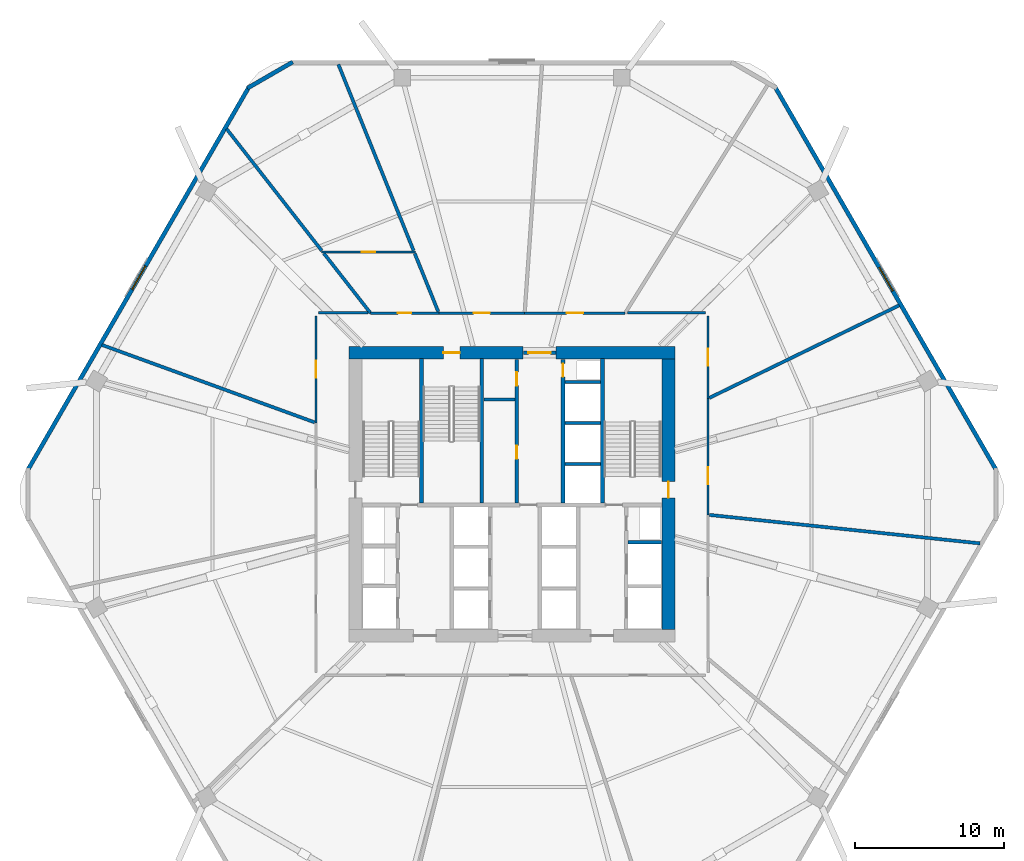
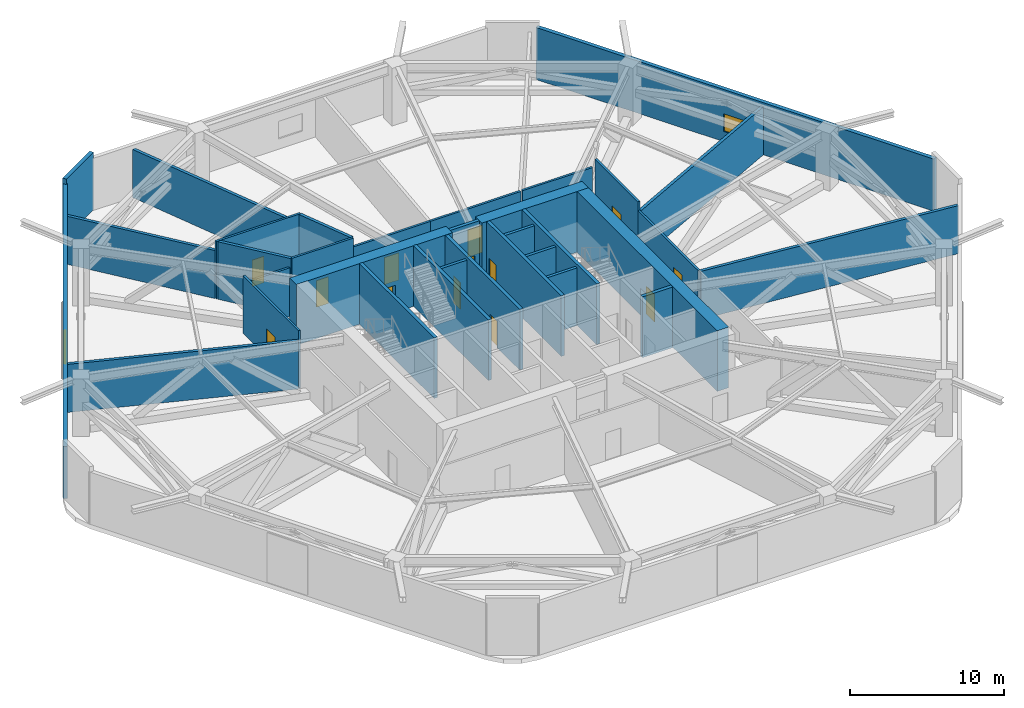
# One storey, part 5 of 10: 33 walls, 13 doors, 2 windows, 15 openings.
"""IFC4 building model written with IfcOpenShell, lengths in metres."""

from ifc_helpers import new_model, si_unit, direction, frame, frame_2d, origin, place, context, subcontext, project, spatial, rectangle, extrude, material, layer, layer_set, type_object, element, fill, save


model = new_model("IFC4")

# Units and contexts
model_context = context("Model", 3, precision=1e-05, world=origin(), true_north=direction((0.0, 1.0)))
body_context = subcontext(model_context, "Body", "Model", "MODEL_VIEW")
ifc_project = project(units=[si_unit("LENGTHUNIT", "METRE"), si_unit("AREAUNIT", "SQUARE_METRE"), si_unit("VOLUMEUNIT", "CUBIC_METRE"), si_unit("PLANEANGLEUNIT", "RADIAN"), si_unit("MASSUNIT", "GRAM", prefix="KILO")], contexts=[model_context])

# Site, building, storey
site_placement = place(None, origin())
site = spatial("IfcSite", under=ifc_project, at=site_placement, CompositionType="ELEMENT")
building_placement = place(site_placement, origin())
building = spatial("IfcBuilding", under=site, at=building_placement, Name="Zuhravey Tower", CompositionType="ELEMENT")
storey_placement = place(building_placement, frame((0.0, 0.0, 87.60009765625)))
storey = spatial("IfcBuildingStorey", under=building, at=storey_placement, Name="L21", CompositionType="ELEMENT", Elevation=87.60009765625)

# Wall
ifc_material_1 = material(Name="Concrete C60/75", Category="concrete")
ifc_layer_1 = layer(ifc_material_1, 0.85009765625)
ifc_layer_set_1 = layer_set([ifc_layer_1], Name="Concrete C60/75")
wall_type_1 = type_object("IfcWallType", Name="Core Shear Wall 850", PredefinedType="SHEAR", material=ifc_layer_set_1)
wall_1_placement = place(storey_placement, frame((46.925048828125, 41.5, 0.0), z_axis=(0.0, 0.0, 1.0), x_axis=(-1.0, 0.0, 0.0)))
element("IfcWall", 1, at=wall_1_placement, inside=storey, type_object=wall_type_1, Name="L21 North-East Core Shear Wall CW85", PredefinedType="SHEAR", context=body_context, shape_type="SweptSolid", body=[
    extrude(rectangle(XDim=7.97509765625, YDim=0.85009765625, at=frame_2d((3.987548828125, 0.0))), origin(), (0.0, 0.0, 1.0), 4.7998046875),
])

# Wall, opening, door
wall_2_placement = place(storey_placement, frame((36.75, 41.5, 0.0), z_axis=(0.0, 0.0, 1.0), x_axis=(-1.0, 0.0, 0.0)))
wall_2 = element("IfcWall", 2, at=wall_2_placement, inside=storey, type_object=wall_type_1, Name="L21 North-West Core Shear Wall CW85", PredefinedType="SHEAR", context=body_context, shape_type="SweptSolid", body=[
    extrude(rectangle(XDim=11.675048828125, YDim=0.85009765625, at=frame_2d((5.83740234375, 0.0))), origin(), (0.0, 0.0, 1.0), 4.7998046875),
])
opening_1_placement = place(wall_2_placement, frame((4.25, 0.0, 0.0)))
opening_1 = element("IfcOpeningElement", 3, at=opening_1_placement, cuts=wall_2, Name="Opening STD1", PredefinedType="OPENING", context=body_context, shape_type="SweptSolid", body=[
    extrude(rectangle(XDim=1.10009765625, YDim=2.14990234375, at=frame_2d((0.550048828125, 1.074951171875))), frame((0.0, 0.43701171875, 0.0), z_axis=(0.0, -1.0, 0.0), x_axis=(1.0, 0.0, 0.0)), (0.0, 0.0, 1.0), 0.8740234375),
])
ifc_material_2 = material(Name="Galvanised fire-rated steel leaf", Category="steel")
door_type_1 = type_object("IfcDoorType", Name="Protected Stair Fire Door 1100x2150", OperationType="NOTDEFINED", PredefinedType="USERDEFINED", material=ifc_material_2)
door_1_placement = place(opening_1_placement, origin())
door_1 = element("IfcDoor", 4, at=door_1_placement, inside=storey, type_object=door_type_1, Name="L21 Stair ST3 Door", ObjectType="EXITDOOR", OperationType="SINGLE_SWING_LEFT", OverallHeight=2.14990234375, OverallWidth=1.10009765625, PredefinedType="USERDEFINED", context=body_context, shape_type="SweptSolid", body=[
    extrude(rectangle(XDim=1.10009765625, YDim=2.14990234375, at=frame_2d((0.550048828125, 1.074951171875))), frame((0.0, 0.02490234375, 0.0), z_axis=(0.0, -1.0, 0.0), x_axis=(1.0, 0.0, 0.0)), (0.0, 0.0, 1.0), 0.050048828125),
])
fill(opening_1, door_1)

wall_3_placement = place(storey_placement, frame((46.5, 22.925048828125, 0.0), z_axis=(0.0, 0.0, 1.0), x_axis=(0.0, 1.0, 0.0)))
wall_3 = element("IfcWall", 5, at=wall_3_placement, inside=storey, type_object=wall_type_1, Name="L21 East Core Shear Wall CW85", PredefinedType="SHEAR", context=body_context, shape_type="SweptSolid", body=[
    extrude(rectangle(XDim=18.14990234375, YDim=0.85009765625, at=frame_2d((9.074951171875, 0.0))), origin(), (0.0, 0.0, 1.0), 4.7998046875),
])
opening_2_placement = place(wall_3_placement, frame((8.824951171875, 0.0, 0.0)))
opening_2 = element("IfcOpeningElement", 6, at=opening_2_placement, cuts=wall_3, Name="Opening STD1", PredefinedType="OPENING", context=body_context, shape_type="SweptSolid", body=[
    extrude(rectangle(XDim=1.10009765625, YDim=2.14990234375, at=frame_2d((0.550048828125, 1.074951171875))), frame((0.0, 0.43701171875, 0.0), z_axis=(0.0, -1.0, 0.0), x_axis=(1.0, 0.0, 0.0)), (0.0, 0.0, 1.0), 0.8740234375),
])
door_2_placement = place(opening_2_placement, origin())
door_2 = element("IfcDoor", 7, at=door_2_placement, inside=storey, type_object=door_type_1, Name="L21 Stair ST2 Door", ObjectType="EXITDOOR", OperationType="SINGLE_SWING_RIGHT", OverallHeight=2.14990234375, OverallWidth=1.10009765625, PredefinedType="USERDEFINED", context=body_context, shape_type="SweptSolid", body=[
    extrude(rectangle(XDim=1.10009765625, YDim=2.14990234375, at=frame_2d((0.550048828125, 1.074951171875))), frame((0.0, 0.02490234375, 0.0), z_axis=(0.0, -1.0, 0.0), x_axis=(1.0, 0.0, 0.0)), (0.0, 0.0, 1.0), 0.050048828125),
])
fill(opening_2, door_2)

ifc_material_3 = material(Name="Gypsum fire-rated stud partition")
ifc_layer_2 = layer(ifc_material_3, 0.159912109375)
ifc_layer_set_2 = layer_set([ifc_layer_2], Name="Gypsum fire-rated stud partition")
wall_type_2 = type_object("IfcWallType", Name="Corridor Fire Partition 160", PredefinedType="PARTITIONING", material=ifc_layer_set_2)
wall_4_placement = place(storey_placement, frame((43.59521484375, 44.155029296875, 0.0), z_axis=(0.0, 0.0, 1.0), x_axis=(-1.0, 0.0, 0.0)))
wall_4 = element("IfcWall", 8, at=wall_4_placement, inside=storey, type_object=wall_type_2, Name="L21 IW16 Partition 019", PredefinedType="PARTITIONING", context=body_context, shape_type="SweptSolid", body=[
    extrude(rectangle(XDim=6.7451171875, YDim=0.159912109375, at=frame_2d((3.37255859375, 0.0))), origin(), (0.0, 0.0, 1.0), 3.849853515625),
])
opening_3_placement = place(wall_4_placement, frame((2.82275390625, 0.0, 0.0)))
opening_3 = element("IfcOpeningElement", 9, at=opening_3_placement, cuts=wall_4, Name="Opening STD1", PredefinedType="OPENING", context=body_context, shape_type="SweptSolid", body=[
    extrude(rectangle(XDim=1.10009765625, YDim=2.14990234375, at=frame_2d((0.550048828125, 1.074951171875))), frame((0.0, 0.092041015625, 0.0), z_axis=(0.0, -1.0, 0.0), x_axis=(1.0, 0.0, 0.0)), (0.0, 0.0, 1.0), 0.183837890625),
])
door_3_placement = place(opening_3_placement, frame((1.10009765625, 0.0, 0.0), z_axis=(0.0, 0.0, 1.0), x_axis=(-1.0, 0.0, 0.0)))
door_3 = element("IfcDoor", 10, at=door_3_placement, inside=storey, type_object=door_type_1, Name="L21 Door 019.1", ObjectType="EXITDOOR", OperationType="SINGLE_SWING_LEFT", OverallHeight=2.14990234375, OverallWidth=1.10009765625, PredefinedType="USERDEFINED", context=body_context, shape_type="SweptSolid", body=[
    extrude(rectangle(XDim=1.10009765625, YDim=2.14990234375, at=frame_2d((0.550048828125, 1.074951171875))), frame((0.0, 0.02490234375, 0.0), z_axis=(0.0, -1.0, 0.0), x_axis=(1.0, 0.0, 0.0)), (0.0, 0.0, 1.0), 0.050048828125),
])
fill(opening_3, door_3)

wall_5_placement = place(storey_placement, frame((36.85009765625, 44.155029296875, 0.0), z_axis=(0.0, 0.0, 1.0), x_axis=(-1.0, 0.0, 0.0)))
wall_5 = element("IfcWall", 11, at=wall_5_placement, inside=storey, type_object=wall_type_2, Name="L21 IW16 Partition 020", PredefinedType="PARTITIONING", context=body_context, shape_type="SweptSolid", body=[
    extrude(rectangle(XDim=5.760986328125, YDim=0.159912109375, at=frame_2d((2.88037109375, 0.0))), origin(), (0.0, 0.0, 1.0), 3.849853515625),
])
opening_4_placement = place(wall_5_placement, frame((2.33056640625, 0.0, 0.0)))
opening_4 = element("IfcOpeningElement", 12, at=opening_4_placement, cuts=wall_5, Name="Opening STD1", PredefinedType="OPENING", context=body_context, shape_type="SweptSolid", body=[
    extrude(rectangle(XDim=1.10009765625, YDim=2.14990234375, at=frame_2d((0.550048828125, 1.074951171875))), frame((0.0, 0.092041015625, 0.0), z_axis=(0.0, -1.0, 0.0), x_axis=(1.0, 0.0, 0.0)), (0.0, 0.0, 1.0), 0.183837890625),
])
door_4_placement = place(opening_4_placement, frame((1.10009765625, 0.0, 0.0), z_axis=(0.0, 0.0, 1.0), x_axis=(-1.0, 0.0, 0.0)))
door_4 = element("IfcDoor", 13, at=door_4_placement, inside=storey, type_object=door_type_1, Name="L21 Door 020.1", ObjectType="EXITDOOR", OperationType="SINGLE_SWING_RIGHT", OverallHeight=2.14990234375, OverallWidth=1.10009765625, PredefinedType="USERDEFINED", context=body_context, shape_type="SweptSolid", body=[
    extrude(rectangle(XDim=1.10009765625, YDim=2.14990234375, at=frame_2d((0.550048828125, 1.074951171875))), frame((0.0, 0.02490234375, 0.0), z_axis=(0.0, -1.0, 0.0), x_axis=(1.0, 0.0, 0.0)), (0.0, 0.0, 1.0), 0.050048828125),
])
fill(opening_4, door_4)

wall_6_placement = place(storey_placement, frame((23.19873046875, 48.2548828125, 0.0), z_axis=(0.0, 0.0, 1.0), x_axis=(1.0, 0.0, 0.0)))
wall_6 = element("IfcWall", 14, at=wall_6_placement, inside=storey, type_object=wall_type_2, Name="L21 IW16 Partition 021", PredefinedType="PARTITIONING", context=body_context, shape_type="SweptSolid", body=[
    extrude(rectangle(XDim=6.320068359375, YDim=0.159912109375, at=frame_2d((3.16015625, 0.0))), origin(), (0.0, 0.0, 1.0), 4.5498046875),
])
opening_5_placement = place(wall_6_placement, frame((2.7099609375, 0.0, 0.0)))
opening_5 = element("IfcOpeningElement", 15, at=opening_5_placement, cuts=wall_6, Name="Opening RSD1", PredefinedType="OPENING", context=body_context, shape_type="SweptSolid", body=[
    extrude(rectangle(XDim=0.89990234375, YDim=2.10009765625, at=frame_2d((0.449951171875, 1.050048828125))), frame((0.0, 0.092041015625, 0.0), z_axis=(0.0, -1.0, 0.0), x_axis=(1.0, 0.0, 0.0)), (0.0, 0.0, 1.0), 0.183837890625),
])
ifc_material_4 = material(Name="Galvanised fire-rated steel access leaf", Category="steel")
door_type_2 = type_object("IfcDoorType", Name="Riser & Shaft Access Fire Door 900x2100", OperationType="NOTDEFINED", PredefinedType="DOOR", material=ifc_material_4)
door_5_placement = place(opening_5_placement, origin())
door_5 = element("IfcDoor", 16, at=door_5_placement, inside=storey, type_object=door_type_2, Name="L21 Door 021.1", OperationType="SINGLE_SWING_LEFT", OverallHeight=2.10009765625, OverallWidth=0.89990234375, PredefinedType="DOOR", context=body_context, shape_type="SweptSolid", body=[
    extrude(rectangle(XDim=0.89990234375, YDim=2.10009765625, at=frame_2d((0.449951171875, 1.050048828125))), frame((0.0, 0.02490234375, 0.0), z_axis=(0.0, -1.0, 0.0), x_axis=(1.0, 0.0, 0.0)), (0.0, 0.0, 1.0), 0.050048828125),
])
fill(opening_5, door_5)

wall_7_placement = place(storey_placement, frame((31.089111328125, 44.155029296875, 0.0), z_axis=(0.0, 0.0, 1.0), x_axis=(-1.0, 0.0, 0.0)))
wall_7 = element("IfcWall", 17, at=wall_7_placement, inside=storey, type_object=wall_type_2, Name="L21 IW16 Partition 022", PredefinedType="PARTITIONING", context=body_context, shape_type="SweptSolid", body=[
    extrude(rectangle(XDim=4.585693359375, YDim=0.159912109375, at=frame_2d((2.29296875, 0.0))), origin(), (0.0, 0.0, 1.0), 4.5498046875),
])
opening_6_placement = place(wall_7_placement, frame((1.8427734375, 0.0, 0.0)))
opening_6 = element("IfcOpeningElement", 18, at=opening_6_placement, cuts=wall_7, Name="Opening RSD1", PredefinedType="OPENING", context=body_context, shape_type="SweptSolid", body=[
    extrude(rectangle(XDim=0.89990234375, YDim=2.10009765625, at=frame_2d((0.449951171875, 1.050048828125))), frame((0.0, 0.092041015625, 0.0), z_axis=(0.0, -1.0, 0.0), x_axis=(1.0, 0.0, 0.0)), (0.0, 0.0, 1.0), 0.183837890625),
])
door_6_placement = place(opening_6_placement, frame((0.89990234375, 0.0, 0.0), z_axis=(0.0, 0.0, 1.0), x_axis=(-1.0, 0.0, 0.0)))
door_6 = element("IfcDoor", 19, at=door_6_placement, inside=storey, type_object=door_type_2, Name="L21 Door 022.1", OperationType="SINGLE_SWING_RIGHT", OverallHeight=2.10009765625, OverallWidth=0.89990234375, PredefinedType="DOOR", context=body_context, shape_type="SweptSolid", body=[
    extrude(rectangle(XDim=0.89990234375, YDim=2.10009765625, at=frame_2d((0.449951171875, 1.050048828125))), frame((0.0, 0.02490234375, 0.0), z_axis=(0.0, -1.0, 0.0), x_axis=(1.0, 0.0, 0.0)), (0.0, 0.0, 1.0), 0.050048828125),
])
fill(opening_6, door_6)

wall_8_placement = place(storey_placement, frame((22.844970703125, 43.97509765625, 0.0), z_axis=(0.0, 0.0, 1.0), x_axis=(0.0, -1.0, 0.0)))
wall_8 = element("IfcWall", 20, at=wall_8_placement, inside=storey, type_object=wall_type_2, Name="L21 IW16 Partition 023", PredefinedType="PARTITIONING", context=body_context, shape_type="SweptSolid", body=[
    extrude(rectangle(XDim=7.18701171875, YDim=0.159912109375, at=frame_2d((3.593505859375, 0.0))), origin(), (0.0, 0.0, 1.0), 4.5498046875),
])
opening_7_placement = place(wall_8_placement, frame((3.0185546875, 0.0, 0.0)))
opening_7 = element("IfcOpeningElement", 21, at=opening_7_placement, cuts=wall_8, Name="Opening CLD1", PredefinedType="OPENING", context=body_context, shape_type="SweptSolid", body=[
    extrude(rectangle(XDim=1.14990234375, YDim=2.199951171875, at=frame_2d((0.574951171875, 1.10009765625))), frame((0.0, 0.092041015625, 0.0), z_axis=(0.0, -1.0, 0.0), x_axis=(1.0, 0.0, 0.0)), (0.0, 0.0, 1.0), 0.183837890625),
])
ifc_material_5 = material(Name="Acoustic timber leaf with vision lite", Category="wood")
door_type_3 = type_object("IfcDoorType", Name="Classroom Acoustic Door 1150x2200", OperationType="NOTDEFINED", PredefinedType="DOOR", material=ifc_material_5)
door_7_placement = place(opening_7_placement, frame((1.14990234375, 0.0, 0.0), z_axis=(0.0, 0.0, 1.0), x_axis=(-1.0, 0.0, 0.0)))
door_7 = element("IfcDoor", 22, at=door_7_placement, inside=storey, type_object=door_type_3, Name="L21 Door 023.1", OperationType="SINGLE_SWING_LEFT", OverallHeight=2.199951171875, OverallWidth=1.14990234375, PredefinedType="DOOR", context=body_context, shape_type="SweptSolid", body=[
    extrude(rectangle(XDim=1.14990234375, YDim=2.199951171875, at=frame_2d((0.574951171875, 1.10009765625))), frame((0.0, 0.02490234375, 0.0), z_axis=(0.0, -1.0, 0.0), x_axis=(1.0, 0.0, 0.0)), (0.0, 0.0, 1.0), 0.050048828125),
])
fill(opening_7, door_7)

wall_9_placement = place(storey_placement, frame((49.155029296875, 30.617431640625, 0.0), z_axis=(0.0, 0.0, 1.0), x_axis=(0.0, 1.0, 0.0)))
wall_9 = element("IfcWall", 23, at=wall_9_placement, inside=storey, type_object=wall_type_2, Name="L21 IW16 Partition 030", PredefinedType="PARTITIONING", context=body_context, shape_type="SweptSolid", body=[
    extrude(rectangle(XDim=7.798583984375, YDim=0.159912109375, at=frame_2d((3.8994140625, 0.0))), origin(), (0.0, 0.0, 1.0), 3.849853515625),
])
opening_8_placement = place(wall_9_placement, frame((2.054443359375, 0.0, 0.0)))
opening_8 = element("IfcOpeningElement", 24, at=opening_8_placement, cuts=wall_9, Name="Opening CLD1", PredefinedType="OPENING", context=body_context, shape_type="SweptSolid", body=[
    extrude(rectangle(XDim=1.14990234375, YDim=2.199951171875, at=frame_2d((0.574951171875, 1.10009765625))), frame((0.0, 0.092041015625, 0.0), z_axis=(0.0, -1.0, 0.0), x_axis=(1.0, 0.0, 0.0)), (0.0, 0.0, 1.0), 0.183837890625),
])
door_8_placement = place(opening_8_placement, frame((1.14990234375, 0.0, 0.0), z_axis=(0.0, 0.0, 1.0), x_axis=(-1.0, 0.0, 0.0)))
door_8 = element("IfcDoor", 25, at=door_8_placement, inside=storey, type_object=door_type_3, Name="L21 Door 030.1", OperationType="SINGLE_SWING_RIGHT", OverallHeight=2.199951171875, OverallWidth=1.14990234375, PredefinedType="DOOR", context=body_context, shape_type="SweptSolid", body=[
    extrude(rectangle(XDim=1.14990234375, YDim=2.199951171875, at=frame_2d((0.574951171875, 1.10009765625))), frame((0.0, 0.02490234375, 0.0), z_axis=(0.0, -1.0, 0.0), x_axis=(1.0, 0.0, 0.0)), (0.0, 0.0, 1.0), 0.050048828125),
])
fill(opening_8, door_8)

wall_10_placement = place(storey_placement, frame((49.155029296875, 38.416015625, 0.0), z_axis=(0.0, 0.0, 1.0), x_axis=(0.0, 1.0, 0.0)))
wall_10 = element("IfcWall", 26, at=wall_10_placement, inside=storey, type_object=wall_type_2, Name="L21 IW16 Partition 031", PredefinedType="PARTITIONING", context=body_context, shape_type="SweptSolid", body=[
    extrude(rectangle(XDim=5.55908203125, YDim=0.159912109375, at=frame_2d((2.779541015625, 0.0))), origin(), (0.0, 0.0, 1.0), 4.5498046875),
])
opening_9_placement = place(wall_10_placement, frame((2.20458984375, 0.0, 0.0)))
opening_9 = element("IfcOpeningElement", 27, at=opening_9_placement, cuts=wall_10, Name="Opening CLD1", PredefinedType="OPENING", context=body_context, shape_type="SweptSolid", body=[
    extrude(rectangle(XDim=1.14990234375, YDim=2.199951171875, at=frame_2d((0.574951171875, 1.10009765625))), frame((0.0, 0.092041015625, 0.0), z_axis=(0.0, -1.0, 0.0), x_axis=(1.0, 0.0, 0.0)), (0.0, 0.0, 1.0), 0.183837890625),
])
door_9_placement = place(opening_9_placement, frame((1.14990234375, 0.0, 0.0), z_axis=(0.0, 0.0, 1.0), x_axis=(-1.0, 0.0, 0.0)))
door_9 = element("IfcDoor", 28, at=door_9_placement, inside=storey, type_object=door_type_3, Name="L21 Door 031.1", OperationType="SINGLE_SWING_LEFT", OverallHeight=2.199951171875, OverallWidth=1.14990234375, PredefinedType="DOOR", context=body_context, shape_type="SweptSolid", body=[
    extrude(rectangle(XDim=1.14990234375, YDim=2.199951171875, at=frame_2d((0.574951171875, 1.10009765625))), frame((0.0, 0.02490234375, 0.0), z_axis=(0.0, -1.0, 0.0), x_axis=(1.0, 0.0, 0.0)), (0.0, 0.0, 1.0), 0.050048828125),
])
fill(opening_9, door_9)

# Walls
wall_11_placement = place(storey_placement, frame((26.338134765625, 44.175048828125, 0.0), z_axis=(0.0, 0.0, 1.0), x_axis=(-1.0, 0.0, 0.0)))
element("IfcWall", 29, at=wall_11_placement, inside=storey, type_object=wall_type_2, Name="L21 IW16 Partition 055", PredefinedType="PARTITIONING", context=body_context, shape_type="SweptSolid", body=[
    extrude(rectangle(XDim=3.313232421875, YDim=0.159912109375, at=frame_2d((1.65673828125, 0.0))), origin(), (0.0, 0.0, 1.0), 3.849853515625),
])
wall_12_placement = place(storey_placement, frame((48.97509765625, 44.175048828125, 0.0), z_axis=(0.0, 0.0, 1.0), x_axis=(-1.0, 0.0, 0.0)))
element("IfcWall", 30, at=wall_12_placement, inside=storey, type_object=wall_type_2, Name="L21 IW16 Partition 057", PredefinedType="PARTITIONING", context=body_context, shape_type="SweptSolid", body=[
    extrude(rectangle(XDim=5.228271484375, YDim=0.159912109375, at=frame_2d((2.6142578125, 0.0))), origin(), (0.0, 0.0, 1.0), 3.849853515625),
])

# Wall, opening, window
ifc_material_6 = material(Name="Precast concrete C40/50", Category="concrete")
ifc_layer_3 = layer(ifc_material_6, 0.280029296875)
ifc_layer_set_3 = layer_set([ifc_layer_3], Name="Precast concrete C40/50")
wall_type_3 = type_object("IfcWallType", Name="Crown Architectural Wall 280", PredefinedType="SOLIDWALL", material=ifc_layer_set_3)
wall_13_placement = place(storey_placement, frame((3.47412109375, 33.580078125, 0.0), z_axis=(0.0, 0.0, 1.0), x_axis=(0.499990147121, 0.866031092272, 0.0)))
wall_13 = element("IfcWall", 31, at=wall_13_placement, inside=storey, type_object=wall_type_3, Name="L21 Face 3 Plant Enclosure Wall EW28", PredefinedType="SOLIDWALL", context=body_context, shape_type="SweptSolid", body=[
    extrude(rectangle(XDim=29.7890625, YDim=0.280029296875, at=frame_2d((14.89453125, 0.0))), origin(), (0.0, 0.0, 1.0), 4.121826171875),
])
opening_10_placement = place(wall_13_placement, frame((14.049560546875, 0.0, 0.800048828125)))
opening_10 = element("IfcOpeningElement", 32, at=opening_10_placement, cuts=wall_13, Name="Opening WN2", PredefinedType="OPENING", context=body_context, shape_type="SweptSolid", body=[
    extrude(rectangle(XDim=1.800048828125, YDim=1.39990234375, at=frame_2d((0.89990234375, 0.699951171875))), frame((0.0, 0.152099609375, 0.0), z_axis=(0.0, -1.0, 0.0), x_axis=(1.0, 0.0, 0.0)), (0.0, 0.0, 1.0), 0.303955078125),
])
ifc_material_7 = material(Name="Anodised aluminium acoustic louvre frame", Category="aluminium")
window_type = type_object("IfcWindowType", Name="Crown Plant Louvre Window 1800x1400", PartitioningType="SINGLE_PANEL", PredefinedType="WINDOW", material=ifc_material_7)
window_1_placement = place(opening_10_placement, origin())
window_1 = element("IfcWindow", 33, at=window_1_placement, inside=storey, type_object=window_type, Name="L21 Face 3 Plant Louvre Window WN2", OverallHeight=1.39990234375, OverallWidth=1.800048828125, PartitioningType="SINGLE_PANEL", PredefinedType="WINDOW", context=body_context, shape_type="SweptSolid", body=[
    extrude(rectangle(XDim=1.800048828125, YDim=1.39990234375, at=frame_2d((0.89990234375, 0.699951171875))), frame((0.0, 0.030029296875, 0.0), z_axis=(0.0, -1.0, 0.0), x_axis=(1.0, 0.0, 0.0)), (0.0, 0.0, 1.0), 0.06005859375),
])
fill(opening_10, window_1)

# Wall
wall_14_placement = place(storey_placement, frame((18.23876953125, 59.24853515625, 0.0), z_axis=(0.0, 0.0, 1.0), x_axis=(0.866007452331, 0.500031091541, 0.0)))
element("IfcWall", 34, at=wall_14_placement, inside=storey, type_object=wall_type_3, Name="L21 Rounded Corner Closure Wall EW28-08", PredefinedType="SOLIDWALL", context=body_context, shape_type="SweptSolid", body=[
    extrude(rectangle(XDim=3.514892578125, YDim=0.280029296875, at=frame_2d((1.75732421875, 0.0))), origin(), (0.0, 0.0, 1.0), 4.5498046875),
])

# Wall, opening, window
wall_15_placement = place(storey_placement, frame((53.631591796875, 59.37841796875, 0.0), z_axis=(0.0, 0.0, 1.0), x_axis=(0.499990147121, -0.866031092272, 0.0)))
wall_15 = element("IfcWall", 35, at=wall_15_placement, inside=storey, type_object=wall_type_3, Name="L21 Face 1 Plant Enclosure Wall EW28", PredefinedType="SOLIDWALL", context=body_context, shape_type="SweptSolid", body=[
    extrude(rectangle(XDim=29.7890625, YDim=0.280029296875, at=frame_2d((14.89453125, 0.0))), origin(), (0.0, 0.0, 1.0), 4.121826171875),
])
opening_11_placement = place(wall_15_placement, frame((14.049560546875, 0.0, 0.800048828125)))
opening_11 = element("IfcOpeningElement", 36, at=opening_11_placement, cuts=wall_15, Name="Opening WN2", PredefinedType="OPENING", context=body_context, shape_type="SweptSolid", body=[
    extrude(rectangle(XDim=1.800048828125, YDim=1.39990234375, at=frame_2d((0.89990234375, 0.699951171875))), frame((0.0, 0.152099609375, 0.0), z_axis=(0.0, -1.0, 0.0), x_axis=(1.0, 0.0, 0.0)), (0.0, 0.0, 1.0), 0.303955078125),
])
window_2_placement = place(opening_11_placement, origin())
window_2 = element("IfcWindow", 37, at=window_2_placement, inside=storey, type_object=window_type, Name="L21 Face 1 Plant Louvre Window WN2", OverallHeight=1.39990234375, OverallWidth=1.800048828125, PartitioningType="SINGLE_PANEL", PredefinedType="WINDOW", context=body_context, shape_type="SweptSolid", body=[
    extrude(rectangle(XDim=1.800048828125, YDim=1.39990234375, at=frame_2d((0.89990234375, 0.699951171875))), frame((0.0, 0.030029296875, 0.0), z_axis=(0.0, -1.0, 0.0), x_axis=(1.0, 0.0, 0.0)), (0.0, 0.0, 1.0), 0.06005859375),
])
fill(opening_11, window_2)

# Wall, opening, door
ifc_material_8 = material(Name="Concrete C50/60", Category="concrete")
ifc_layer_4 = layer(ifc_material_8, 0.25)
ifc_layer_set_4 = layer_set([ifc_layer_4], Name="Concrete C50/60")
wall_type_4 = type_object("IfcWallType", Name="Firefighting Shaft & Stair Wall 250", PredefinedType="SOLIDWALL", material=ifc_layer_set_4)
wall_16_placement = place(storey_placement, frame((36.760009765625, 41.5, 0.0), z_axis=(0.0, 0.0, 1.0), x_axis=(1.0, 0.0, 0.0)))
wall_16 = element("IfcWall", 38, at=wall_16_placement, inside=storey, type_object=wall_type_4, Name="L21 FW25 Shaft Wall 002", PredefinedType="SOLIDWALL", context=body_context, shape_type="SweptSolid", body=[
    extrude(rectangle(XDim=2.179931640625, YDim=0.25, at=frame_2d((1.08984375, 0.0))), origin(), (0.0, 0.0, 1.0), 4.7998046875),
])
opening_12_placement = place(wall_16_placement, frame((0.340087890625, 0.0, 0.0)))
opening_12 = element("IfcOpeningElement", 39, at=opening_12_placement, cuts=wall_16, Name="Opening FFD1", PredefinedType="OPENING", context=body_context, shape_type="SweptSolid", body=[
    extrude(rectangle(XDim=1.5, YDim=2.14990234375, at=frame_2d((0.75, 1.074951171875))), frame((0.0, 0.136962890625, 0.0), z_axis=(0.0, -1.0, 0.0), x_axis=(1.0, 0.0, 0.0)), (0.0, 0.0, 1.0), 0.27392578125),
])
door_type_4 = type_object("IfcDoorType", Name="Firefighting Lobby Double Door 1500x2150", OperationType="DOUBLE_DOOR_SINGLE_SWING", PredefinedType="DOOR", material=ifc_material_2)
door_10_placement = place(opening_12_placement, origin())
door_10 = element("IfcDoor", 40, at=door_10_placement, inside=storey, type_object=door_type_4, Name="L21 North Lift Lobby Exit Door", OperationType="DOUBLE_DOOR_SINGLE_SWING", OverallHeight=2.14990234375, OverallWidth=1.5, PredefinedType="DOOR", context=body_context, shape_type="SweptSolid", body=[
    extrude(rectangle(XDim=1.5, YDim=2.14990234375, at=frame_2d((0.75, 1.074951171875))), frame((0.0, 0.02490234375, 0.0), z_axis=(0.0, -1.0, 0.0), x_axis=(1.0, 0.0, 0.0)), (0.0, 0.0, 1.0), 0.050048828125),
])
fill(opening_12, door_10)

# Walls
for number, where, z_axis, x_axis, name in (
    (41, (29.925048828125, 31.39990234375, 0.0), (0.0, 0.0, 1.0), (0.0, 1.0, 0.0), "L21 FW25 Shaft Wall 004"),
    (42, (33.97509765625, 31.39990234375, 0.0), (0.0, 0.0, 1.0), (0.0, 1.0, 0.0), "L21 FW25 Shaft Wall 005"),
    (43, (42.074951171875, 31.39990234375, 0.0), (0.0, 0.0, 1.0), (0.0, 1.0, 0.0), "L21 FW25 Shaft Wall 006"),
):
    element("IfcWall", number, at=place(storey_placement, frame(where, z_axis=z_axis, x_axis=x_axis)), inside=storey, type_object=wall_type_4, Name=name, PredefinedType="SOLIDWALL", context=body_context, shape_type="SweptSolid", body=[
        extrude(rectangle(XDim=9.7001953125, YDim=0.25, at=frame_2d((4.85009765625, 0.0))), origin(), (0.0, 0.0, 1.0), 4.7998046875),
    ])

# Wall, openings, doors
wall_17_placement = place(storey_placement, frame((36.324951171875, 31.39990234375, 0.0), z_axis=(0.0, 0.0, 1.0), x_axis=(0.0, 1.0, 0.0)))
wall_17 = element("IfcWall", 44, at=wall_17_placement, inside=storey, type_object=wall_type_4, Name="L21 FW25 Shaft Wall 007", PredefinedType="SOLIDWALL", context=body_context, shape_type="SweptSolid", body=[
    extrude(rectangle(XDim=9.650146484375, YDim=0.25, at=frame_2d((4.8251953125, 0.0))), origin(), (0.0, 0.0, 1.0), 4.7998046875),
])
opening_13_placement = place(wall_17_placement, frame((2.965087890625, 0.0, 0.0)))
opening_13 = element("IfcOpeningElement", 45, at=opening_13_placement, cuts=wall_17, Name="Opening RSD1", PredefinedType="OPENING", context=body_context, shape_type="SweptSolid", body=[
    extrude(rectangle(XDim=0.89990234375, YDim=2.10009765625, at=frame_2d((0.449951171875, 1.050048828125))), frame((0.0, 0.136962890625, 0.0), z_axis=(0.0, -1.0, 0.0), x_axis=(1.0, 0.0, 0.0)), (0.0, 0.0, 1.0), 0.27392578125),
])
opening_14_placement = place(wall_17_placement, frame((7.885009765625, 0.0, 0.0)))
opening_14 = element("IfcOpeningElement", 46, at=opening_14_placement, cuts=wall_17, Name="Opening RSD1", PredefinedType="OPENING", context=body_context, shape_type="SweptSolid", body=[
    extrude(rectangle(XDim=0.89990234375, YDim=2.10009765625, at=frame_2d((0.449951171875, 1.050048828125))), frame((0.0, 0.136962890625, 0.0), z_axis=(0.0, -1.0, 0.0), x_axis=(1.0, 0.0, 0.0)), (0.0, 0.0, 1.0), 0.27392578125),
])
door_11_placement = place(opening_13_placement, origin())
door_11 = element("IfcDoor", 47, at=door_11_placement, inside=storey, type_object=door_type_2, Name="L21 Equipment and Refuse Store Door", OperationType="SINGLE_SWING_LEFT", OverallHeight=2.10009765625, OverallWidth=0.89990234375, PredefinedType="DOOR", context=body_context, shape_type="SweptSolid", body=[
    extrude(rectangle(XDim=0.89990234375, YDim=2.10009765625, at=frame_2d((0.449951171875, 1.050048828125))), frame((0.0, 0.02490234375, 0.0), z_axis=(0.0, -1.0, 0.0), x_axis=(1.0, 0.0, 0.0)), (0.0, 0.0, 1.0), 0.050048828125),
])
fill(opening_13, door_11)
door_12_placement = place(opening_14_placement, origin())
door_12 = element("IfcDoor", 48, at=door_12_placement, inside=storey, type_object=door_type_2, Name="L21 BMS Control Room Door", OperationType="SINGLE_SWING_RIGHT", OverallHeight=2.10009765625, OverallWidth=0.89990234375, PredefinedType="DOOR", context=body_context, shape_type="SweptSolid", body=[
    extrude(rectangle(XDim=0.89990234375, YDim=2.10009765625, at=frame_2d((0.449951171875, 1.050048828125))), frame((0.0, 0.02490234375, 0.0), z_axis=(0.0, -1.0, 0.0), x_axis=(1.0, 0.0, 0.0)), (0.0, 0.0, 1.0), 0.050048828125),
])
fill(opening_14, door_12)

# Wall, opening, door
wall_18_placement = place(storey_placement, frame((39.425048828125, 31.39990234375, 0.0), z_axis=(0.0, 0.0, 1.0), x_axis=(0.0, 1.0, 0.0)))
wall_18 = element("IfcWall", 49, at=wall_18_placement, inside=storey, type_object=wall_type_4, Name="L21 FW25 Shaft Wall 008", PredefinedType="SOLIDWALL", context=body_context, shape_type="SweptSolid", body=[
    extrude(rectangle(XDim=9.650146484375, YDim=0.25, at=frame_2d((4.8251953125, 0.0))), origin(), (0.0, 0.0, 1.0), 4.7998046875),
])
opening_15_placement = place(wall_18_placement, frame((8.469970703125, 0.0, 0.0)))
opening_15 = element("IfcOpeningElement", 50, at=opening_15_placement, cuts=wall_18, Name="Opening RSD1", PredefinedType="OPENING", context=body_context, shape_type="SweptSolid", body=[
    extrude(rectangle(XDim=0.89990234375, YDim=2.10009765625, at=frame_2d((0.449951171875, 1.050048828125))), frame((0.0, 0.136962890625, 0.0), z_axis=(0.0, -1.0, 0.0), x_axis=(1.0, 0.0, 0.0)), (0.0, 0.0, 1.0), 0.27392578125),
])
door_13_placement = place(opening_15_placement, origin())
door_13 = element("IfcDoor", 51, at=door_13_placement, inside=storey, type_object=door_type_2, Name="L21 North Riser Door", OperationType="SINGLE_SWING_LEFT", OverallHeight=2.10009765625, OverallWidth=0.89990234375, PredefinedType="DOOR", context=body_context, shape_type="SweptSolid", body=[
    extrude(rectangle(XDim=0.89990234375, YDim=2.10009765625, at=frame_2d((0.449951171875, 1.050048828125))), frame((0.0, 0.02490234375, 0.0), z_axis=(0.0, -1.0, 0.0), x_axis=(1.0, 0.0, 0.0)), (0.0, 0.0, 1.0), 0.050048828125),
])
fill(opening_15, door_13)

# Walls
wall_19_placement = place(storey_placement, frame((43.800048828125, 28.77490234375, 0.0), z_axis=(0.0, 0.0, 1.0), x_axis=(1.0, 0.0, 0.0)))
element("IfcWall", 52, at=wall_19_placement, inside=storey, type_object=wall_type_4, Name="L21 FW25 Shaft Wall 017", PredefinedType="SOLIDWALL", context=body_context, shape_type="SweptSolid", body=[
    extrude(rectangle(XDim=2.25, YDim=0.25, at=frame_2d((1.125, 0.0))), origin(), (0.0, 0.0, 1.0), 4.7998046875),
])
ifc_material_9 = material(Name="Gypsum acoustic stud assembly")
ifc_layer_5 = layer(ifc_material_9, 0.219970703125)
ifc_layer_set_5 = layer_set([ifc_layer_5], Name="Gypsum acoustic stud assembly")
wall_type_5 = type_object("IfcWallType", Name="School Acoustic Compartment Wall 220", PredefinedType="PARTITIONING", material=ifc_layer_set_5)
wall_20_placement = place(storey_placement, frame((34.10791015625, 38.35009765625, 0.0), z_axis=(0.0, 0.0, 1.0), x_axis=(1.0, 0.0, 0.0)))
element("IfcWall", 53, at=wall_20_placement, inside=storey, type_object=wall_type_5, Name="L21 IW22 Partition 032", PredefinedType="PARTITIONING", context=body_context, shape_type="SweptSolid", body=[
    extrude(rectangle(XDim=2.083984375, YDim=0.219970703125, at=frame_2d((1.0419921875, 0.0))), origin(), (0.0, 0.0, 1.0), 4.5498046875),
])
for number, where, z_axis, x_axis, name in (
    (54, (39.55810546875, 34.02490234375, 0.0), (0.0, 0.0, 1.0), (1.0, 0.0, 0.0), "L21 IW22 Partition 033"),
    (55, (39.55810546875, 36.77490234375, 0.0), (0.0, 0.0, 1.0), (1.0, 0.0, 0.0), "L21 IW22 Partition 034"),
    (56, (39.55810546875, 39.52490234375, 0.0), (0.0, 0.0, 1.0), (1.0, 0.0, 0.0), "L21 IW22 Partition 035"),
):
    element("IfcWall", number, at=place(storey_placement, frame(where, z_axis=z_axis, x_axis=x_axis)), inside=storey, type_object=wall_type_5, Name=name, PredefinedType="PARTITIONING", context=body_context, shape_type="SweptSolid", body=[
        extrude(rectangle(XDim=2.3837890625, YDim=0.219970703125, at=frame_2d((1.19189453125, 0.0))), origin(), (0.0, 0.0, 1.0), 4.5498046875),
    ])
wall_21_placement = place(storey_placement, frame((31.053466796875, 44.242919921875, 0.0), z_axis=(0.0, 0.0, 1.0), x_axis=(-0.374610881622, 0.927182122007, 0.0)))
element("IfcWall", 57, at=wall_21_placement, inside=storey, type_object=wall_type_5, Name="L21 IW22 Partition 042", PredefinedType="PARTITIONING", context=body_context, shape_type="SweptSolid", body=[
    extrude(rectangle(XDim=4.232177734375, YDim=0.219970703125, at=frame_2d((2.1162109375, 0.0))), origin(), (0.0, 0.0, 1.0), 4.5498046875),
])
wall_22_placement = place(storey_placement, frame((29.39697265625, 48.343017578125, 0.0), z_axis=(0.0, 0.0, 1.0), x_axis=(-0.374606105734, 0.927184051603, 0.0)))
element("IfcWall", 58, at=wall_22_placement, inside=storey, type_object=wall_type_5, Name="L21 IW22 Partition 043", PredefinedType="PARTITIONING", context=body_context, shape_type="SweptSolid", body=[
    extrude(rectangle(XDim=13.487548828125, YDim=0.219970703125, at=frame_2d((6.74365234375, 0.0))), origin(), (0.0, 0.0, 1.0), 3.7998046875),
])
wall_23_placement = place(storey_placement, frame((26.50341796875, 44.155029296875, 0.0), z_axis=(0.0, 0.0, 1.0), x_axis=(-0.615665444552, 0.788007652491, 0.0)))
element("IfcWall", 59, at=wall_23_placement, inside=storey, type_object=wall_type_5, Name="L21 IW22 Partition 044", PredefinedType="PARTITIONING", context=body_context, shape_type="SweptSolid", body=[
    extrude(rectangle(XDim=5.09130859375, YDim=0.219970703125, at=frame_2d((2.545654296875, 0.0))), origin(), (0.0, 0.0, 1.0), 4.5498046875),
])
wall_24_placement = place(storey_placement, frame((23.2314453125, 48.343017578125, 0.0), z_axis=(0.0, 0.0, 1.0), x_axis=(-0.615659568509, 0.788012243372, 0.0)))
element("IfcWall", 60, at=wall_24_placement, inside=storey, type_object=wall_type_5, Name="L21 IW22 Partition 045", PredefinedType="PARTITIONING", context=body_context, shape_type="SweptSolid", body=[
    extrude(rectangle(XDim=10.37451171875, YDim=0.219970703125, at=frame_2d((5.187255859375, 0.0))), origin(), (0.0, 0.0, 1.0), 3.7998046875),
])
wall_25_placement = place(storey_placement, frame((22.757080078125, 36.820068359375, 0.0), z_axis=(0.0, 0.0, 1.0), x_axis=(-0.939691621922, 0.342022887669, 0.0)))
element("IfcWall", 61, at=wall_25_placement, inside=storey, type_object=wall_type_5, Name="L21 IW22 Partition 046", PredefinedType="PARTITIONING", context=body_context, shape_type="SweptSolid", body=[
    extrude(rectangle(XDim=15.20068359375, YDim=0.219970703125, at=frame_2d((7.600341796875, 0.0))), origin(), (0.0, 0.0, 1.0), 3.7998046875),
])
wall_26_placement = place(storey_placement, frame((49.242919921875, 30.608154296875, 0.0), z_axis=(0.0, 0.0, 1.0), x_axis=(0.994522068356, -0.104526817384, 0.0)))
element("IfcWall", 62, at=wall_26_placement, inside=storey, type_object=wall_type_5, Name="L21 IW22 Partition 053", PredefinedType="PARTITIONING", context=body_context, shape_type="SweptSolid", body=[
    extrude(rectangle(XDim=18.2626953125, YDim=0.219970703125, at=frame_2d((9.13134765625, 0.0))), origin(), (0.0, 0.0, 1.0), 3.7998046875),
])
wall_27_placement = place(storey_placement, frame((49.242919921875, 38.458984375, 0.0), z_axis=(0.0, 0.0, 1.0), x_axis=(0.89879325632, 0.438372766482, 0.0)))
element("IfcWall", 63, at=wall_27_placement, inside=storey, type_object=wall_type_5, Name="L21 IW22 Partition 054", PredefinedType="PARTITIONING", context=body_context, shape_type="SweptSolid", body=[
    extrude(rectangle(XDim=14.184814453125, YDim=0.219970703125, at=frame_2d((7.09228515625, 0.0))), origin(), (0.0, 0.0, 1.0), 3.7998046875),
])

save(model, "model.ifc")
